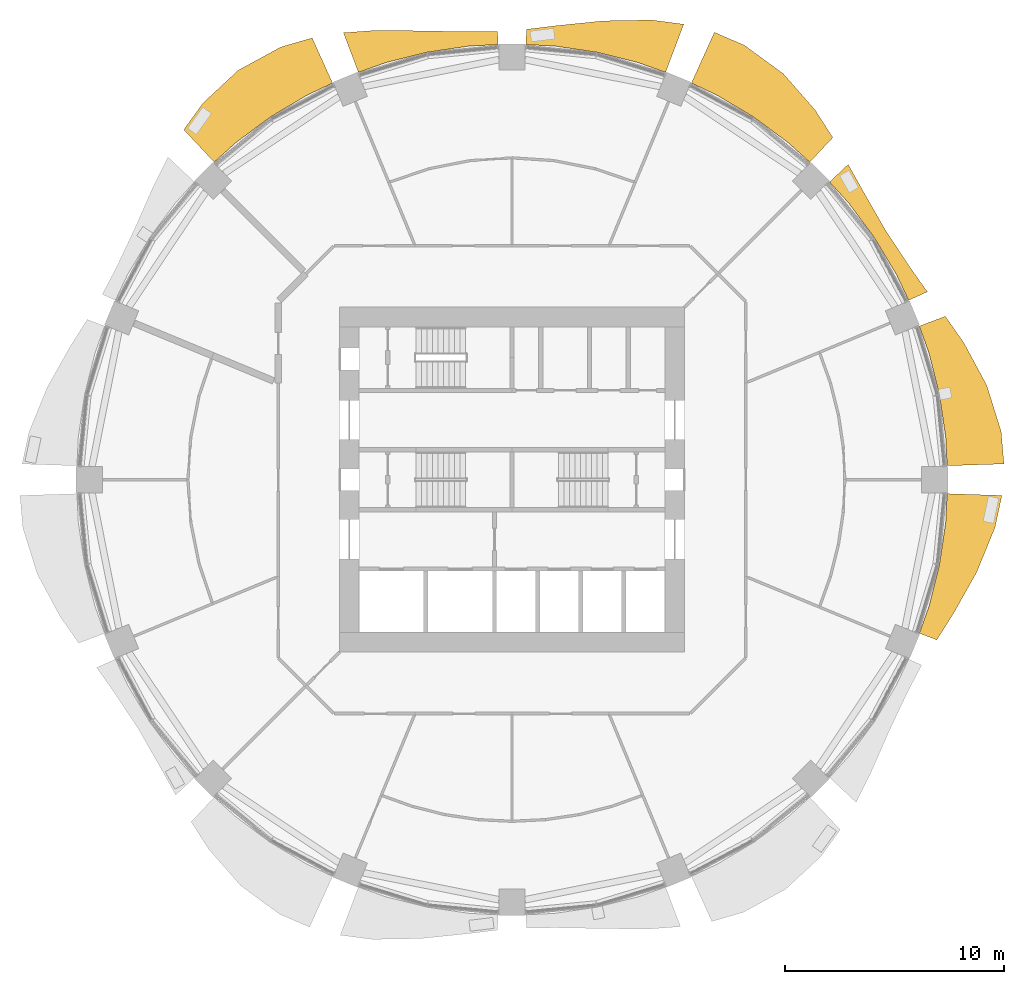
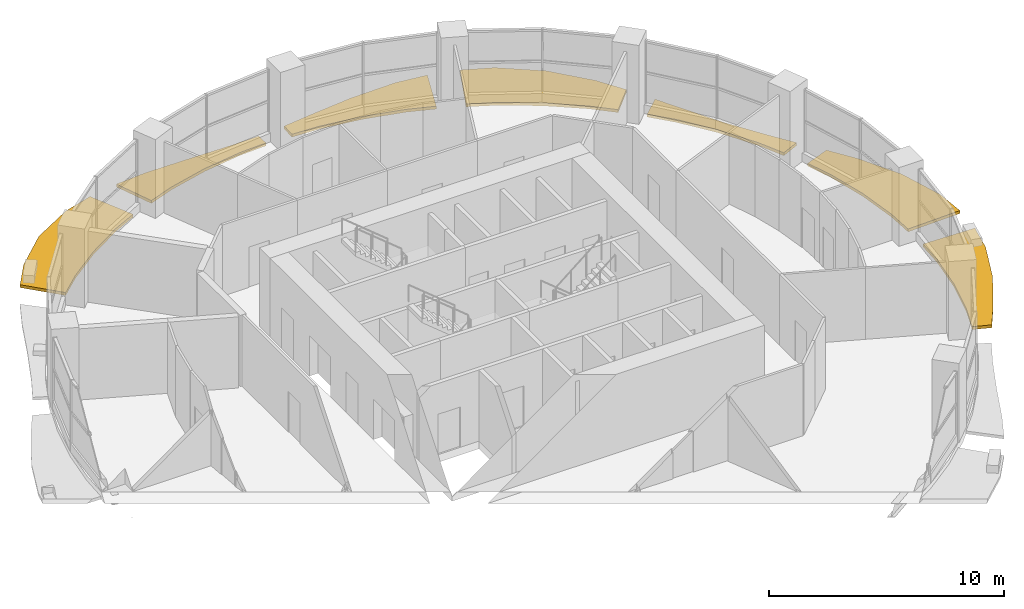
# One storey, part 13 of 14: 7 shading devices.
"""IFC4 building model written with IfcOpenShell, lengths in metres."""

from ifc_helpers import new_model, si_unit, direction, frame, origin, place, context, subcontext, project, spatial, polyline, outline, extrude, material, type_object, element, save


model = new_model("IFC4")

# Units and contexts
model_context = context("Model", 3, precision=1e-05, world=origin(), true_north=direction((0.0, 1.0)))
body_context = subcontext(model_context, "Body", "Model", "MODEL_VIEW")
ifc_project = project(units=[si_unit("LENGTHUNIT", "METRE"), si_unit("AREAUNIT", "SQUARE_METRE"), si_unit("VOLUMEUNIT", "CUBIC_METRE"), si_unit("PLANEANGLEUNIT", "RADIAN"), si_unit("MASSUNIT", "GRAM", prefix="KILO")], contexts=[model_context])

# Site, building, storey
site_placement = place(None, origin())
site = spatial("IfcSite", under=ifc_project, at=site_placement, CompositionType="ELEMENT")
building_placement = place(site_placement, origin())
building = spatial("IfcBuilding", under=site, at=building_placement, Name="Polderwave Tower", CompositionType="ELEMENT")
storey_placement = place(building_placement, frame((0.0, 0.0, 14.39990234375)))
storey = spatial("IfcBuildingStorey", under=building, at=storey_placement, Name="L03", CompositionType="ELEMENT", Elevation=14.39990234375)

# Shading devices
ifc_material = material(Name="Terracotta", Category="masonry")
shading_device_type = type_object("IfcShadingDeviceType", Name="Terracotta sunshade band", PredefinedType="USERDEFINED", material=ifc_material)
shading_device_1_placement = place(storey_placement, frame((0.0, 0.0, -0.39990234375)))
element("IfcShadingDevice", 1, at=shading_device_1_placement, inside=storey, type_object=shading_device_type, Name="Sunshade band L03 1", ObjectType="SUNSHADE", PredefinedType="USERDEFINED", context=body_context, shape_type="SweptSolid", body=[
    extrude(outline(polyline([(19.858642578125, 0.637451171875), (19.794189453125, 1.94970703125), (19.5078125, 3.88037109375), (19.033447265625, 5.773681640625), (18.591064453125, 7.010498046875), (19.77734375, 7.4580078125), (20.6201171875, 6.2548828125), (21.668212890625, 4.31005859375), (22.326416015625, 2.198974609375), (22.455322265625, 0.720947265625), (19.858642578125, 0.637451171875)])), origin(), (0.0, 0.0, 1.0), 0.14990234375),
])
shading_device_2_placement = place(storey_placement, frame((0.0, 0.0, -0.39990234375)))
element("IfcShadingDevice", 2, at=shading_device_2_placement, inside=storey, type_object=shading_device_type, Name="Sunshade band L03 2", ObjectType="SUNSHADE", PredefinedType="USERDEFINED", context=body_context, shape_type="SweptSolid", body=[
    extrude(outline(polyline([(18.10302734375, 8.188720703125), (17.54150390625, 9.376220703125), (16.537841796875, 11.05029296875), (15.375244140625, 12.6181640625), (14.492919921875, 13.59130859375), (15.344970703125, 14.390380859375), (16.03466796875, 13.1591796875), (17.044921875, 11.388916015625), (18.15869140625, 9.7060546875), (18.95751953125, 8.5751953125), (18.10302734375, 8.188720703125)])), origin(), (0.0, 0.0, 1.0), 0.14990234375),
])
shading_device_3_placement = place(storey_placement, frame((0.0, 0.0, -0.39990234375)))
element("IfcShadingDevice", 3, at=shading_device_3_placement, inside=storey, type_object=shading_device_type, Name="Sunshade band L03 3", ObjectType="SUNSHADE", PredefinedType="USERDEFINED", context=body_context, shape_type="SweptSolid", body=[
    extrude(outline(polyline([(13.59130859375, 14.492919921875), (12.6181640625, 15.375244140625), (11.05029296875, 16.537841796875), (9.376220703125, 17.54150390625), (8.188720703125, 18.10302734375), (9.23681640625, 20.420166015625), (10.600830078125, 19.8330078125), (12.382568359375, 18.53173828125), (13.841552734375, 16.865966796875), (14.643798828125, 15.614990234375), (13.59130859375, 14.492919921875)])), origin(), (0.0, 0.0, 1.0), 0.14990234375),
])
shading_device_4_placement = place(storey_placement, frame((0.0, 0.0, -0.39990234375)))
element("IfcShadingDevice", 4, at=shading_device_4_placement, inside=storey, type_object=shading_device_type, Name="Sunshade band L03 4", ObjectType="SUNSHADE", PredefinedType="USERDEFINED", context=body_context, shape_type="SweptSolid", body=[
    extrude(outline(polyline([(7.010498046875, 18.591064453125), (5.773681640625, 19.033447265625), (3.88037109375, 19.5078125), (1.94970703125, 19.794189453125), (0.637451171875, 19.858642578125), (0.659912109375, 20.556396484375), (2.041259765625, 20.724609375), (4.16552734375, 20.941650390625), (6.364501953125, 20.9814453125), (7.839599609375, 20.789306640625), (7.010498046875, 18.591064453125)])), origin(), (0.0, 0.0, 1.0), 0.14990234375),
])
shading_device_5_placement = place(storey_placement, frame((0.0, 0.0, -0.39990234375)))
element("IfcShadingDevice", 5, at=shading_device_5_placement, inside=storey, type_object=shading_device_type, Name="Sunshade band L03 5", ObjectType="SUNSHADE", PredefinedType="USERDEFINED", context=body_context, shape_type="SweptSolid", body=[
    extrude(outline(polyline([(-0.637451171875, 19.858642578125), (-1.94970703125, 19.794189453125), (-3.88037109375, 19.5078125), (-5.773681640625, 19.033447265625), (-7.010498046875, 18.591064453125), (-7.6923828125, 20.39892578125), (-6.221435546875, 20.50927734375), (-4.074951171875, 20.48583984375), (-2.013916015625, 20.446533203125), (-0.65673828125, 20.460205078125), (-0.637451171875, 19.858642578125)])), origin(), (0.0, 0.0, 1.0), 0.14990234375),
])
shading_device_6_placement = place(storey_placement, frame((0.0, 0.0, -0.39990234375)))
element("IfcShadingDevice", 6, at=shading_device_6_placement, inside=storey, type_object=shading_device_type, Name="Sunshade band L03 6", ObjectType="SUNSHADE", PredefinedType="USERDEFINED", context=body_context, shape_type="SweptSolid", body=[
    extrude(outline(polyline([(-8.188720703125, 18.10302734375), (-9.376220703125, 17.54150390625), (-11.05029296875, 16.537841796875), (-12.6181640625, 15.375244140625), (-13.59130859375, 14.492919921875), (-14.9814453125, 15.97509765625), (-14.10693359375, 17.189208984375), (-12.489501953125, 18.69189453125), (-10.5546875, 19.746337890625), (-9.120849609375, 20.164306640625), (-8.188720703125, 18.10302734375)])), origin(), (0.0, 0.0, 1.0), 0.14990234375),
])
shading_device_7_placement = place(storey_placement, frame((0.0, 0.0, -0.39990234375)))
element("IfcShadingDevice", 7, at=shading_device_7_placement, inside=storey, type_object=shading_device_type, Name="Sunshade band L03 16", ObjectType="SUNSHADE", PredefinedType="USERDEFINED", context=body_context, shape_type="SweptSolid", body=[
    extrude(outline(polyline([(18.591064453125, -7.010498046875), (19.033447265625, -5.773681640625), (19.5078125, -3.88037109375), (19.794189453125, -1.94970703125), (19.858642578125, -0.637451171875), (22.359130859375, -0.7177734375), (22.04833984375, -2.171630859375), (21.21240234375, -4.219482421875), (20.14794921875, -6.11181640625), (19.386962890625, -7.310791015625), (18.591064453125, -7.010498046875)])), origin(), (0.0, 0.0, 1.0), 0.14990234375),
])

save(model, "model.ifc")
